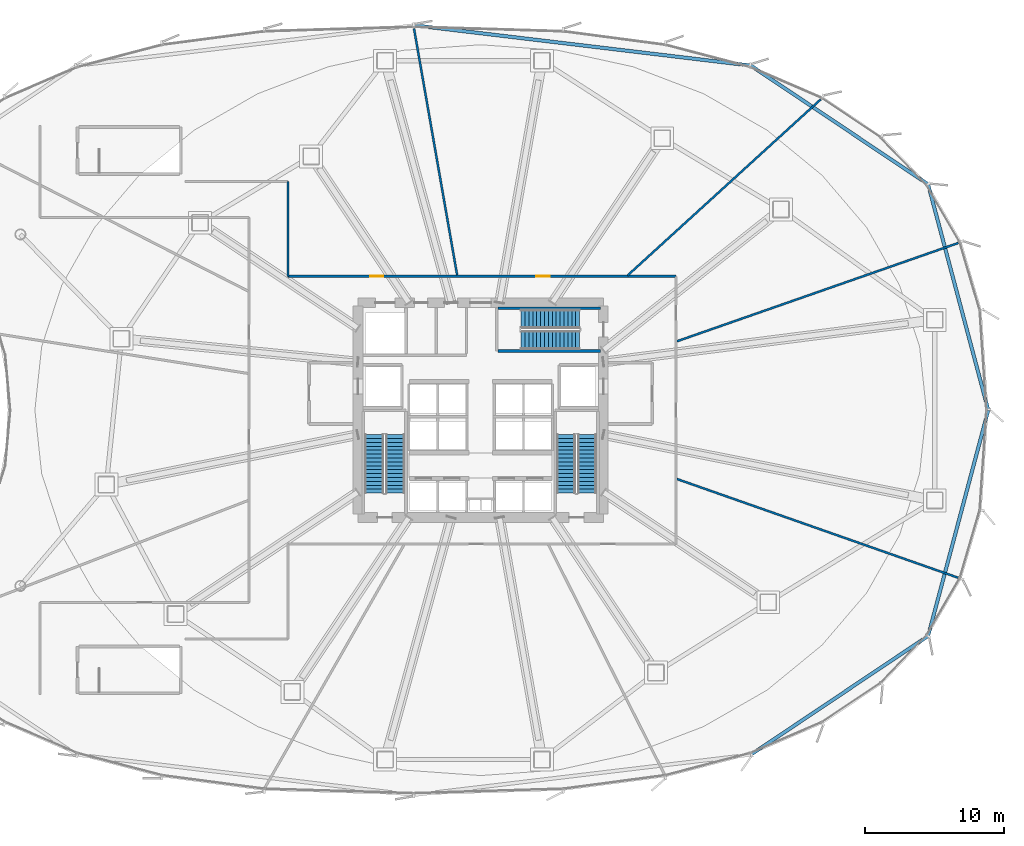
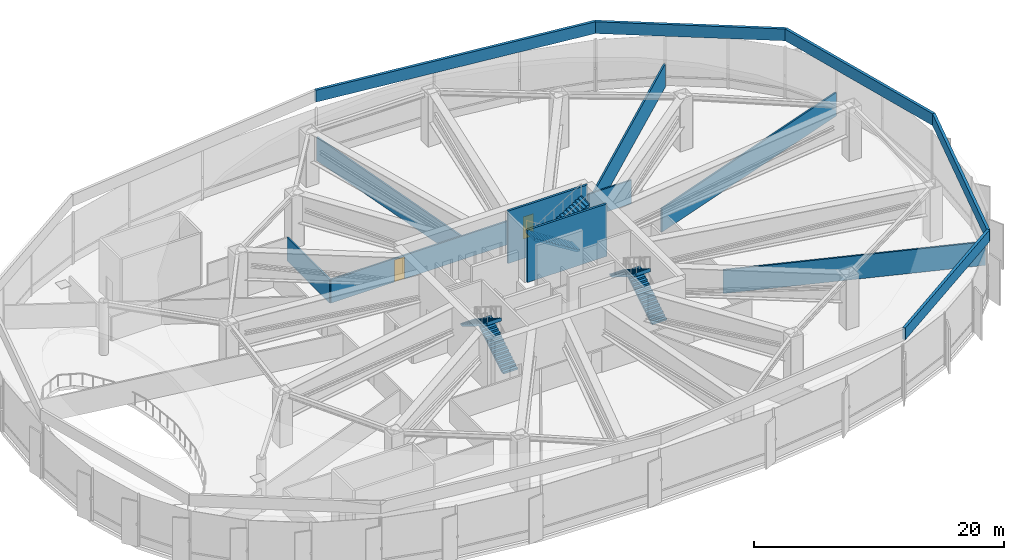
# One storey, part 29 of 36: 13 walls, 6 stair flights, 2 doors, 2 openings, 3 elements without a shape of their own.
"""IFC4 building model written with IfcOpenShell, lengths in metres."""

import ifcopenshell
import ifcopenshell.guid

model = None  # the IFC model being written
_history = None  # IfcOwnerHistory: only IFC2X3 demands one
_inside = {}  # id of a spatial element -> (the spatial element, [elements in it])
_under = {}  # id of a project, library or spatial element -> (it, [spatial elements below it])
_declared = {}  # id of a project -> (the project, [libraries it declares])
_typed = {}  # id of a type object -> (the type object, [elements of that type])
_made_of = {}  # id of a material, layer set ... -> (it, [elements and type objects made of it])


def new_model(schema):
    """Start an empty IFC model of exactly this schema.

    Asked for "IFC4X3", IfcOpenShell would pick the latest addendum, in which some entities
    have other attributes; the version numbers below select the first issue.
    IFC2X3 requires an IfcOwnerHistory on every rooted entity: one is made here for all.
    """
    global model, _history
    if schema == "IFC4X3":
        model = ifcopenshell.file(schema_version=(4, 3, 0, 0))
    else:
        model = ifcopenshell.file(schema=schema)
    _inside.clear()
    _under.clear()
    _declared.clear()
    _typed.clear()
    _made_of.clear()
    _history = None
    if model.schema == "IFC2X3":
        org = make("IfcOrganization", Name="unknown")
        user = make(
            "IfcPersonAndOrganization",
            ThePerson=make("IfcPerson", FamilyName="unknown"),
            TheOrganization=org,
        )
        app = make(
            "IfcApplication",
            ApplicationDeveloper=org,
            Version="unknown",
            ApplicationFullName="unknown",
            ApplicationIdentifier="unknown",
        )
        _history = make(
            "IfcOwnerHistory",
            OwningUser=user,
            OwningApplication=app,
            ChangeAction="ADDED",
            CreationDate=0,
        )
    return model


def make(cls, **values):
    """One entity of the class cls with the attributes given. An attribute that is None is left unset."""
    return model.create_entity(
        cls, **{name: value for name, value in values.items() if value is not None}
    )


def rooted(cls, **values):
    """An entity with a GlobalId (a new one), such as an element, a storey or a relation."""
    return make(cls, GlobalId=ifcopenshell.guid.new(), OwnerHistory=_history, **values)


def si_unit(unit_type, name, prefix=None):
    """IfcSIUnit, for example si_unit("LENGTHUNIT", "METRE", prefix="MILLI")."""
    return make("IfcSIUnit", UnitType=unit_type, Prefix=prefix, Name=name)


def assignment(units):
    """IfcUnitAssignment: the units of a project."""
    return None if units is None else make("IfcUnitAssignment", Units=units)


def point(xyz):
    """IfcCartesianPoint."""
    return None if xyz is None else make("IfcCartesianPoint", Coordinates=xyz)


def direction(xyz):
    """IfcDirection."""
    return None if xyz is None else make("IfcDirection", DirectionRatios=xyz)


def frame(location, z_axis=None, x_axis=None):
    """IfcAxis2Placement3D, a coordinate frame: its origin and axes. An axis left out is left unset."""
    return make(
        "IfcAxis2Placement3D",
        Location=point(location),
        Axis=direction(z_axis),
        RefDirection=direction(x_axis),
    )


def frame_2d(location, x_axis=None):
    """IfcAxis2Placement2D, a coordinate frame in the plane: its origin and x axis."""
    return make(
        "IfcAxis2Placement2D", Location=point(location), RefDirection=direction(x_axis)
    )


def origin():
    """The frame at (0, 0, 0) with its axes left unset."""
    return frame((0.0, 0.0, 0.0))


def place(relative_to, where):
    """IfcLocalPlacement: puts the frame where relative to a parent placement (None: the world)."""
    return make(
        "IfcLocalPlacement", PlacementRelTo=relative_to, RelativePlacement=where
    )


def context(
    kind, dimensions, precision=None, world=None, true_north=None, identifier=None
):
    """IfcGeometricRepresentationContext, for example the 3D "Model" context."""
    return make(
        "IfcGeometricRepresentationContext",
        ContextIdentifier=identifier,
        ContextType=kind,
        CoordinateSpaceDimension=dimensions,
        Precision=precision,
        WorldCoordinateSystem=world,
        TrueNorth=true_north,
    )


def subcontext(parent, identifier, kind, view, scale=None):
    """IfcGeometricRepresentationSubContext, for example "Body" below "Model"."""
    return make(
        "IfcGeometricRepresentationSubContext",
        ContextIdentifier=identifier,
        ContextType=kind,
        ParentContext=parent,
        TargetScale=scale,
        TargetView=view,
    )


def project(units=None, contexts=None):
    """IfcProject with its units and contexts."""
    return rooted(
        "IfcProject",
        Name="project",
        RepresentationContexts=contexts,
        UnitsInContext=assignment(units),
    )


def spatial(cls, under=None, at=None, **own):
    """A site, building, storey or space (cls), placed at a placement, below another one or the project."""
    s = rooted(cls, ObjectPlacement=at, **own)
    if under is not None:
        _under.setdefault(under.id(), (under, []))[1].append(s)
    return s


def polyline(points):
    """IfcPolyline through the points."""
    return make("IfcPolyline", Points=[point(p) for p in points])


def profile(cls, at=None, kind="AREA", **sizes):
    """A parametric profile (cls). Its sizes go by their IFC names, for example OverallWidth=200.0."""
    return make(cls, ProfileType=kind, Position=at, **sizes)


def rectangle(**sizes):
    """IfcRectangleProfileDef."""
    return profile("IfcRectangleProfileDef", **sizes)


def outline(outer, holes=None, kind="AREA"):
    """IfcArbitraryClosedProfileDef: a profile drawn as a closed curve; with holes, ...WithVoids."""
    if holes is None:
        return make("IfcArbitraryClosedProfileDef", ProfileType=kind, OuterCurve=outer)
    return make(
        "IfcArbitraryProfileDefWithVoids",
        ProfileType=kind,
        OuterCurve=outer,
        InnerCurves=holes,
    )


def extrude(swept, where, along, depth):
    """IfcExtrudedAreaSolid: the profile swept, set in the frame where, extruded along a direction by depth."""
    return make(
        "IfcExtrudedAreaSolid",
        SweptArea=swept,
        Position=where,
        ExtrudedDirection=direction(along),
        Depth=depth,
    )


def shape(context_of_items, identifier, shape_type, items):
    """IfcShapeRepresentation: the items that make up one representation, for example the "Body"."""
    return make(
        "IfcShapeRepresentation",
        ContextOfItems=context_of_items,
        RepresentationIdentifier=identifier,
        RepresentationType=shape_type,
        Items=items,
    )


def source(mapping_origin, context_of_items, identifier, shape_type, items):
    """IfcRepresentationMap: a shape defined once, which mapped items show again and again."""
    return make(
        "IfcRepresentationMap",
        MappingOrigin=mapping_origin,
        MappedRepresentation=shape(context_of_items, identifier, shape_type, items),
    )


def transform(
    local_origin,
    x_axis=None,
    y_axis=None,
    z_axis=None,
    scale=None,
    scale2=None,
    scale3=None,
    uniform=True,
):
    """IfcCartesianTransformationOperator3D, or its non-uniform kind. x_axis, y_axis, z_axis: its Axis1, 2, 3."""
    if uniform:
        return make(
            "IfcCartesianTransformationOperator3D",
            Axis1=direction(x_axis),
            Axis2=direction(y_axis),
            LocalOrigin=point(local_origin),
            Scale=scale,
            Axis3=direction(z_axis),
        )
    return make(
        "IfcCartesianTransformationOperator3DnonUniform",
        Axis1=direction(x_axis),
        Axis2=direction(y_axis),
        LocalOrigin=point(local_origin),
        Scale=scale,
        Axis3=direction(z_axis),
        Scale2=scale2,
        Scale3=scale3,
    )


def mapped(mapping_source, mapping_target):
    """IfcMappedItem: shows the shape of a source again, moved by a transform."""
    return make(
        "IfcMappedItem", MappingSource=mapping_source, MappingTarget=mapping_target
    )


def material(Name=None, Category=None):
    """IfcMaterial."""
    return make("IfcMaterial", Name=Name, Category=Category)


def layer(
    of_material, thickness, ventilated=None, Name=None, Category=None, Priority=None
):
    """IfcMaterialLayer: one layer of a wall or slab, of a material (None: an air gap)."""
    return make(
        "IfcMaterialLayer",
        Material=of_material,
        LayerThickness=thickness,
        IsVentilated=ventilated,
        Name=Name,
        Category=Category,
        Priority=Priority,
    )


def layer_set(layers, Name=None):
    """IfcMaterialLayerSet."""
    return make("IfcMaterialLayerSet", MaterialLayers=layers, LayerSetName=Name)


def made_of(thing, what):
    """Note that an element or type object is made of a material, layer set ...; save() writes the relation."""
    if what is not None:
        _made_of.setdefault(what.id(), (what, []))[1].append(thing)
    return thing


def type_object(cls, material=None, **own):
    """A type object (cls), such as IfcWallType, which elements share."""
    return made_of(rooted(cls, **own), material)


def element(
    cls,
    number,
    at=None,
    inside=None,
    cuts=None,
    type_object=None,
    material=None,
    context=None,
    identifier="Body",
    shape_type=None,
    held_by="IfcProductDefinitionShape",
    body=None,
    shapes=None,
    **own,
):
    """One element of the class cls, such as IfcWall. Its Tag is "e" and its number.

    at: its placement. inside: the storey or other place that contains it. cuts: it is an
    opening in that element (IfcRelVoidsElement). A single representation is given by context,
    identifier, shape_type and body (its items); several are given by shapes. held_by: the class
    of the entity that holds the representations. save() writes the other relations.
    """
    e = rooted(cls, Tag="e%d" % number, ObjectPlacement=at, **own)
    if body is not None:
        shapes = [shape(context, identifier, shape_type, body)]
    if shapes is not None:
        e.Representation = make(held_by, Representations=shapes)
    if inside is not None:
        _inside.setdefault(inside.id(), (inside, []))[1].append(e)
    if cuts is not None:
        rooted(
            "IfcRelVoidsElement", RelatingBuildingElement=cuts, RelatedOpeningElement=e
        )
    if type_object is not None:
        _typed.setdefault(type_object.id(), (type_object, []))[1].append(e)
    return made_of(e, material)


def fill(opening, filler):
    """IfcRelFillsElement: the door or window that sits in an opening."""
    return rooted(
        "IfcRelFillsElement",
        RelatingOpeningElement=opening,
        RelatedBuildingElement=filler,
    )


def aggregate(whole, parts):
    """IfcRelAggregates: a whole, such as a stair, and the parts it consists of."""
    return rooted("IfcRelAggregates", RelatingObject=whole, RelatedObjects=parts)


def save(model, path):
    """Write the relations noted so far, then the file.

    IfcRelAggregates (storeys below a building ...), IfcRelContainedInSpatialStructure (elements
    in a storey), IfcRelDefinesByType, IfcRelAssociatesMaterial and IfcRelDeclares: one each for
    every whole, place, type object, material and project.
    """
    for whole, parts in _under.values():
        aggregate(whole, parts)
    for where, things in _inside.values():
        rooted(
            "IfcRelContainedInSpatialStructure",
            RelatedElements=things,
            RelatingStructure=where,
        )
    for kind, things in _typed.values():
        rooted("IfcRelDefinesByType", RelatedObjects=things, RelatingType=kind)
    for what, things in _made_of.values():
        rooted("IfcRelAssociatesMaterial", RelatedObjects=things, RelatingMaterial=what)
    for by, libraries in _declared.values():
        rooted("IfcRelDeclares", RelatingContext=by, RelatedDefinitions=libraries)
    model.write(path)


model = new_model("IFC4")

# Units and contexts
model_context = context("Model", 3, precision=1e-05, world=origin(), true_north=direction((0.0, 1.0)))
body_context = subcontext(model_context, "Body", "Model", "MODEL_VIEW")
ifc_project = project(units=[si_unit("LENGTHUNIT", "METRE"), si_unit("AREAUNIT", "SQUARE_METRE"), si_unit("VOLUMEUNIT", "CUBIC_METRE"), si_unit("PLANEANGLEUNIT", "RADIAN"), si_unit("MASSUNIT", "GRAM", prefix="KILO"), si_unit("THERMODYNAMICTEMPERATUREUNIT", "KELVIN")], contexts=[model_context])

# Site, building, storey
site_placement = place(None, origin())
site = spatial("IfcSite", under=ifc_project, at=site_placement, CompositionType="ELEMENT")
building_placement = place(site_placement, origin())
building = spatial("IfcBuilding", under=site, at=building_placement, Name="Kethvar Cultural Tower", CompositionType="ELEMENT")
storey_placement = place(building_placement, frame((0.0, 0.0, 24.0)))
storey = spatial("IfcBuildingStorey", under=building, at=storey_placement, Name="L05", CompositionType="ELEMENT", Elevation=24.0)

# Wall, openings, doors
ifc_material_1 = material(Name="Gypsum Fireboard Partition")
ifc_layer_1 = layer(ifc_material_1, 0.14990234375, Name="Gypsum Fireboard Partition")
ifc_layer_set_1 = layer_set([ifc_layer_1], Name="Gypsum Fireboard Partition (150 mm)")
wall_type_1 = type_object("IfcWallType", Name="WL-FIRE-150", PredefinedType="PARTITIONING", material=ifc_layer_set_1)
wall_1_placement = place(storey_placement, frame((60.800048828125, 37.39990234375, 0.0), z_axis=(0.0, 0.0, 1.0), x_axis=(-1.0, 0.0, 0.0)))
wall_1 = element("IfcWall", 1, at=wall_1_placement, inside=storey, type_object=wall_type_1, Name="L05 Corridor Rated Wall N", PredefinedType="PARTITIONING", context=body_context, shape_type="SweptSolid", body=[
    extrude(rectangle(XDim=27.800048828125, YDim=0.14990234375, at=frame_2d((13.89990234375, 0.0))), origin(), (0.0, 0.0, 1.0), 2.294921875),
])
opening_1_placement = place(wall_1_placement, frame((9.05859375, 0.0, 0.0)))
opening_1 = element("IfcOpeningElement", 2, at=opening_1_placement, cuts=wall_1, Name="Opening D-L05-02", PredefinedType="OPENING", context=body_context, shape_type="SweptSolid", body=[
    extrude(rectangle(XDim=0.949951171875, YDim=2.14990234375, at=frame_2d((0.47509765625, 1.074951171875))), frame((0.0, 0.0849609375, 0.0), z_axis=(0.0, -1.0, 0.0), x_axis=(1.0, 0.0, 0.0)), (0.0, 0.0, 1.0), 0.169921875),
])
opening_2_placement = place(wall_1_placement, frame((20.969970703125, 0.0, 0.0)))
opening_2 = element("IfcOpeningElement", 3, at=opening_2_placement, cuts=wall_1, Name="Opening D-L05-03", PredefinedType="OPENING", context=body_context, shape_type="SweptSolid", body=[
    extrude(rectangle(XDim=0.949951171875, YDim=2.14990234375, at=frame_2d((0.47509765625, 1.074951171875))), frame((0.0, 0.0849609375, 0.0), z_axis=(0.0, -1.0, 0.0), x_axis=(1.0, 0.0, 0.0)), (0.0, 0.0, 1.0), 0.169921875),
])
ifc_material_2 = material(Name="Architectural Oak Timber", Category="wood")
door_type = type_object("IfcDoorType", Name="DR-FD30-950", OperationType="NOTDEFINED", PredefinedType="DOOR", material=ifc_material_2)
shared_shape = source(origin(), body_context, "Body", "SweptSolid", [
    extrude(rectangle(XDim=0.949951171875, YDim=2.14990234375, at=frame_2d((0.47509765625, 1.074951171875))), frame((0.0, 0.02490234375, 0.0), z_axis=(0.0, -1.0, 0.0), x_axis=(1.0, 0.0, 0.0)), (0.0, 0.0, 1.0), 0.050048828125),
])
door_1_placement = place(opening_1_placement, origin())
door_1 = element("IfcDoor", 4, at=door_1_placement, inside=storey, type_object=door_type, Name="L05 Auditorium Smoke Extract Plant Room 02 Door", OperationType="SINGLE_SWING_LEFT", OverallHeight=2.14990234375, OverallWidth=0.949951171875, PredefinedType="DOOR", context=body_context, shape_type="MappedRepresentation", body=[
    mapped(shared_shape, transform((0.0, 0.0, 0.0), scale=1.0)),
])
fill(opening_1, door_1)
door_2_placement = place(opening_2_placement, origin())
door_2 = element("IfcDoor", 5, at=door_2_placement, inside=storey, type_object=door_type, Name="L05 Podium Chilled Water Plant Room 03 Door", OperationType="SINGLE_SWING_RIGHT", OverallHeight=2.14990234375, OverallWidth=0.949951171875, PredefinedType="DOOR", context=body_context, shape_type="MappedRepresentation", body=[
    mapped(shared_shape, transform((0.0, 0.0, 0.0), scale=1.0)),
])
fill(opening_2, door_2)

# Walls
wall_2_placement = place(storey_placement, frame((33.0, 37.39990234375, 0.0), z_axis=(0.0, 0.0, 1.0), x_axis=(0.0, 1.0, 0.0)))
element("IfcWall", 6, at=wall_2_placement, inside=storey, type_object=wall_type_1, Name="L05 Corridor Rated Wall WN3", PredefinedType="PARTITIONING", context=body_context, shape_type="SweptSolid", body=[
    extrude(rectangle(XDim=6.800048828125, YDim=0.14990234375, at=frame_2d((3.39990234375, 0.0))), origin(), (0.0, 0.0, 1.0), 2.294921875),
])
wall_3_placement = place(storey_placement, frame((60.87548828125, 32.73681640625, 0.0), z_axis=(0.0, 0.0, 1.0), x_axis=(0.944020497478, 0.329886799283, 0.0)))
element("IfcWall", 7, at=wall_3_placement, inside=storey, type_object=wall_type_1, Name="L05 Radial Partition Wall 01", PredefinedType="PARTITIONING", context=body_context, shape_type="SweptSolid", body=[
    extrude(rectangle(XDim=21.370361328125, YDim=0.14990234375, at=frame_2d((10.68505859375, 0.0))), origin(), (0.0, 0.0, 1.0), 2.294921875),
])
wall_4_placement = place(storey_placement, frame((57.3310546875, 37.453857421875, 0.0), z_axis=(0.0, 0.0, 1.0), x_axis=(0.739024870785, 0.673678143004, 0.0)))
element("IfcWall", 8, at=wall_4_placement, inside=storey, type_object=wall_type_1, Name="L05 Radial Partition Wall 02", PredefinedType="PARTITIONING", context=body_context, shape_type="SweptSolid", body=[
    extrude(rectangle(XDim=18.74755859375, YDim=0.14990234375, at=frame_2d((9.373779296875, 0.0))), origin(), (0.0, 0.0, 1.0), 2.294921875),
])
wall_5_placement = place(storey_placement, frame((45.11669921875, 37.478759765625, 0.0), z_axis=(0.0, 0.0, 1.0), x_axis=(-0.172339731734, 0.985037571297, 0.0)))
element("IfcWall", 9, at=wall_5_placement, inside=storey, type_object=wall_type_1, Name="L05 Radial Partition Wall 03", PredefinedType="PARTITIONING", context=body_context, shape_type="SweptSolid", body=[
    extrude(rectangle(XDim=17.941650390625, YDim=0.14990234375, at=frame_2d((8.970703125, 0.0))), origin(), (0.0, 0.0, 1.0), 2.294921875),
])
wall_6_placement = place(storey_placement, frame((60.87548828125, 22.86328125, 0.0), z_axis=(0.0, 0.0, 1.0), x_axis=(0.943536215097, -0.331269393094, 0.0)))
element("IfcWall", 10, at=wall_6_placement, inside=storey, type_object=wall_type_1, Name="L05 Radial Partition Wall 09", PredefinedType="PARTITIONING", context=body_context, shape_type="SweptSolid", body=[
    extrude(rectangle(XDim=21.3681640625, YDim=0.14990234375, at=frame_2d((10.68408203125, 0.0))), origin(), (0.0, 0.0, 1.0), 2.294921875),
])
ifc_material_3 = material(Name="Precast concrete C40/50", Category="concrete")
ifc_layer_2 = layer(ifc_material_3, 0.25, Name="Precast concrete C40/50", Category="concrete")
ifc_layer_set_2 = layer_set([ifc_layer_2], Name="Precast concrete C40/50 (250 mm)")
wall_type_2 = type_object("IfcWallType", Name="WL-PARAPET-250", PredefinedType="PARAPET", material=ifc_layer_set_2)
wall_7_placement = place(storey_placement, frame((83.199951171875, 27.800048828125, 5.60009765625), z_axis=(0.0, 0.0, 1.0), x_axis=(-0.257499439796, 0.966278447708, 0.0)))
element("IfcWall", 11, at=wall_7_placement, inside=storey, type_object=wall_type_2, Name="Podium Roof Parapet Wall WP-01", PredefinedType="PARAPET", context=body_context, shape_type="SweptSolid", body=[
    extrude(rectangle(XDim=16.759033203125, YDim=0.25, at=frame_2d((8.37939453125, 0.0))), origin(), (0.0, 0.0, 1.0), 1.14990234375),
])
wall_8_placement = place(storey_placement, frame((78.884521484375, 43.993896484375, 5.60009765625), z_axis=(0.0, 0.0, 1.0), x_axis=(-0.83081092872, 0.556554759856, 0.0)))
element("IfcWall", 12, at=wall_8_placement, inside=storey, type_object=wall_type_2, Name="Podium Roof Parapet Wall WP-02", PredefinedType="PARAPET", context=body_context, shape_type="SweptSolid", body=[
    extrude(rectangle(XDim=15.2998046875, YDim=0.25, at=frame_2d((7.64990234375, 0.0))), origin(), (0.0, 0.0, 1.0), 1.14990234375),
])
wall_9_placement = place(storey_placement, frame((66.17333984375, 52.509033203125, 5.60009765625), z_axis=(0.0, 0.0, 1.0), x_axis=(-0.99292501543, 0.118743057625, 0.0)))
element("IfcWall", 13, at=wall_9_placement, inside=storey, type_object=wall_type_2, Name="Podium Roof Parapet Wall WP-03", PredefinedType="PARAPET", context=body_context, shape_type="SweptSolid", body=[
    extrude(rectangle(XDim=24.345703125, YDim=0.25, at=frame_2d((12.1728515625, 0.0))), origin(), (0.0, 0.0, 1.0), 1.14990234375),
])
wall_10_placement = place(storey_placement, frame((66.17333984375, 3.091064453125, 5.60009765625), z_axis=(0.0, 0.0, 1.0), x_axis=(0.83081092872, 0.556554759856, 0.0)))
element("IfcWall", 14, at=wall_10_placement, inside=storey, type_object=wall_type_2, Name="Podium Roof Parapet Wall WP-11", PredefinedType="PARAPET", context=body_context, shape_type="SweptSolid", body=[
    extrude(rectangle(XDim=15.2998046875, YDim=0.25, at=frame_2d((7.64990234375, 0.0))), origin(), (0.0, 0.0, 1.0), 1.14990234375),
])
wall_11_placement = place(storey_placement, frame((78.884521484375, 11.606201171875, 5.60009765625), z_axis=(0.0, 0.0, 1.0), x_axis=(0.257499439796, 0.966278447708, 0.0)))
element("IfcWall", 15, at=wall_11_placement, inside=storey, type_object=wall_type_2, Name="Podium Roof Parapet Wall WP-12", PredefinedType="PARAPET", context=body_context, shape_type="SweptSolid", body=[
    extrude(rectangle(XDim=16.759033203125, YDim=0.25, at=frame_2d((8.37939453125, 0.0))), origin(), (0.0, 0.0, 1.0), 1.14990234375),
])
ifc_material_4 = material(Name="Concrete C50/60", Category="concrete")
ifc_layer_3 = layer(ifc_material_4, 0.199951171875, Name="Concrete C50/60", Category="concrete")
ifc_layer_set_3 = layer_set([ifc_layer_3], Name="Concrete C50/60 (200 mm)")
wall_type_3 = type_object("IfcWallType", Name="WL-STSHAFT-200", PredefinedType="SHEAR", material=ifc_layer_set_3)
for number, where, z_axis, x_axis, name in (
    (16, (48.050048828125, 35.110107421875, 0.0), (0.0, 0.0, 1.0), (1.0, 0.0, 0.0), "L05 ST-03 Stair Shaft Wall LEFT"),
    (17, (55.39990234375, 32.050048828125, 0.0), (0.0, 0.0, 1.0), (-1.0, 0.0, 0.0), "L05 ST-03 Stair Shaft Wall RIGHT"),
):
    element("IfcWall", number, at=place(storey_placement, frame(where, z_axis=z_axis, x_axis=x_axis)), inside=storey, type_object=wall_type_3, Name=name, PredefinedType="SHEAR", context=body_context, shape_type="SweptSolid", body=[
        extrude(rectangle(XDim=7.349853515625, YDim=0.199951171875, at=frame_2d((3.6748046875, 0.0))), origin(), (0.0, 0.0, 1.0), 5.1201171875),
    ])

# Stair, stair flights
ifc_material_5 = material(Name="Concrete C40/50", Category="concrete")
stair_type = type_object("IfcStairType", Name="ST-DOGLEG-135", PredefinedType="HALF_TURN_STAIR", material=ifc_material_5)
stair_1_placement = place(storey_placement, origin())
stair_1 = element("IfcStair", 18, at=stair_1_placement, inside=storey, type_object=stair_type, Name="L05 Core Exit Stair 1", PredefinedType="HALF_TURN_STAIR")
stair_flight_type = type_object("IfcStairFlightType", Name="FL-STRAIGHT-135", PredefinedType="STRAIGHT", material=ifc_material_5)
stair_flight_1_placement = place(storey_placement, frame((40.675048828125, 21.85009765625, 0.0), z_axis=(0.0, 0.0, 1.0), x_axis=(0.0, 1.0, 0.0)))
stair_flight_1 = element("IfcStairFlight", 19, at=stair_flight_1_placement, type_object=stair_flight_type, Name="ST-01 flight 1", NumberOfRisers=16, NumberOfTreads=15, PredefinedType="STRAIGHT", RiserHeight=0.175, TreadLength=0.28, context=body_context, shape_type="SweptSolid", body=[
    extrude(outline(polyline([(-0.0009765625, -0.0009765625), (-0.0009765625, 0.175048828125), (0.280029296875, 0.175048828125), (0.280029296875, 0.35009765625), (0.56005859375, 0.35009765625), (0.56005859375, 0.52490234375), (0.840087890625, 0.52490234375), (0.840087890625, 0.699951171875), (1.1201171875, 0.699951171875), (1.1201171875, 0.875), (1.39990234375, 0.875), (1.39990234375, 1.050048828125), (1.679931640625, 1.050048828125), (1.679931640625, 1.22509765625), (1.9599609375, 1.22509765625), (1.9599609375, 1.39990234375), (2.239990234375, 1.39990234375), (2.239990234375, 1.574951171875), (2.52001953125, 1.574951171875), (2.52001953125, 1.75), (2.800048828125, 1.75), (2.800048828125, 1.925048828125), (3.080078125, 1.925048828125), (3.080078125, 2.10009765625), (3.360107421875, 2.10009765625), (3.360107421875, 2.27490234375), (3.639892578125, 2.27490234375), (3.639892578125, 2.449951171875), (3.919921875, 2.449951171875), (3.919921875, 2.625), (4.199951171875, 2.625), (4.199951171875, 2.800048828125), (4.200927734375, 2.800048828125), (4.200927734375, 2.4482421875), (0.28271484375, 0.0), (0.0, -0.0009765625), (-0.0009765625, -0.0009765625)])), frame((0.0, 0.675048828125, 0.0), z_axis=(0.0, -1.0, 0.0), x_axis=(1.0, 0.0, 0.0)), (0.0, 0.0, 1.0), 1.35009765625),
])
stair_flight_2_placement = place(storey_placement, frame((39.1650390625, 26.050048828125, 2.800048828125), z_axis=(0.0, 0.0, 1.0), x_axis=(0.0, -1.0, 0.0)))
stair_flight_2 = element("IfcStairFlight", 20, at=stair_flight_2_placement, type_object=stair_flight_type, Name="ST-01 flight 2", NumberOfRisers=16, NumberOfTreads=15, PredefinedType="STRAIGHT", RiserHeight=0.175, TreadLength=0.28, context=body_context, shape_type="SweptSolid", body=[
    extrude(outline(polyline([(-0.0009765625, -0.0009765625), (-0.0009765625, 0.175048828125), (0.280029296875, 0.175048828125), (0.280029296875, 0.35009765625), (0.56005859375, 0.35009765625), (0.56005859375, 0.52490234375), (0.840087890625, 0.52490234375), (0.840087890625, 0.699951171875), (1.1201171875, 0.699951171875), (1.1201171875, 0.875), (1.39990234375, 0.875), (1.39990234375, 1.050048828125), (1.679931640625, 1.050048828125), (1.679931640625, 1.22509765625), (1.9599609375, 1.22509765625), (1.9599609375, 1.39990234375), (2.239990234375, 1.39990234375), (2.239990234375, 1.574951171875), (2.52001953125, 1.574951171875), (2.52001953125, 1.75), (2.800048828125, 1.75), (2.800048828125, 1.925048828125), (3.080078125, 1.925048828125), (3.080078125, 2.10009765625), (3.360107421875, 2.10009765625), (3.360107421875, 2.27490234375), (3.639892578125, 2.27490234375), (3.639892578125, 2.449951171875), (3.919921875, 2.449951171875), (3.919921875, 2.625), (4.199951171875, 2.625), (4.199951171875, 2.800048828125), (4.200927734375, 2.800048828125), (4.200927734375, 2.4482421875), (0.28271484375, 0.0), (0.0, -0.0009765625), (-0.0009765625, -0.0009765625)])), frame((0.0, 0.675048828125, 0.0), z_axis=(0.0, -1.0, 0.0), x_axis=(1.0, 0.0, 0.0)), (0.0, 0.0, 1.0), 1.35009765625),
])
aggregate(stair_1, [stair_flight_1, stair_flight_2])

stair_2_placement = place(storey_placement, origin())
stair_2 = element("IfcStair", 21, at=stair_2_placement, inside=storey, type_object=stair_type, Name="L05 Core Exit Stair 2", PredefinedType="HALF_TURN_STAIR")
stair_flight_3_placement = place(storey_placement, frame((54.43505859375, 21.85009765625, 0.0), z_axis=(0.0, 0.0, 1.0), x_axis=(0.0, 1.0, 0.0)))
stair_flight_3 = element("IfcStairFlight", 22, at=stair_flight_3_placement, type_object=stair_flight_type, Name="ST-02 flight 1", NumberOfRisers=16, NumberOfTreads=15, PredefinedType="STRAIGHT", RiserHeight=0.175, TreadLength=0.28, context=body_context, shape_type="SweptSolid", body=[
    extrude(outline(polyline([(-0.0009765625, -0.0009765625), (-0.0009765625, 0.175048828125), (0.280029296875, 0.175048828125), (0.280029296875, 0.35009765625), (0.56005859375, 0.35009765625), (0.56005859375, 0.52490234375), (0.840087890625, 0.52490234375), (0.840087890625, 0.699951171875), (1.1201171875, 0.699951171875), (1.1201171875, 0.875), (1.39990234375, 0.875), (1.39990234375, 1.050048828125), (1.679931640625, 1.050048828125), (1.679931640625, 1.22509765625), (1.9599609375, 1.22509765625), (1.9599609375, 1.39990234375), (2.239990234375, 1.39990234375), (2.239990234375, 1.574951171875), (2.52001953125, 1.574951171875), (2.52001953125, 1.75), (2.800048828125, 1.75), (2.800048828125, 1.925048828125), (3.080078125, 1.925048828125), (3.080078125, 2.10009765625), (3.360107421875, 2.10009765625), (3.360107421875, 2.27490234375), (3.639892578125, 2.27490234375), (3.639892578125, 2.449951171875), (3.919921875, 2.449951171875), (3.919921875, 2.625), (4.199951171875, 2.625), (4.199951171875, 2.800048828125), (4.200927734375, 2.800048828125), (4.200927734375, 2.4482421875), (0.28271484375, 0.0), (0.0, -0.0009765625), (-0.0009765625, -0.0009765625)])), frame((0.0, 0.675048828125, 0.0), z_axis=(0.0, -1.0, 0.0), x_axis=(1.0, 0.0, 0.0)), (0.0, 0.0, 1.0), 1.35009765625),
])
stair_flight_4_placement = place(storey_placement, frame((52.925048828125, 26.050048828125, 2.800048828125), z_axis=(0.0, 0.0, 1.0), x_axis=(0.0, -1.0, 0.0)))
stair_flight_4 = element("IfcStairFlight", 23, at=stair_flight_4_placement, type_object=stair_flight_type, Name="ST-02 flight 2", NumberOfRisers=16, NumberOfTreads=15, PredefinedType="STRAIGHT", RiserHeight=0.175, TreadLength=0.28, context=body_context, shape_type="SweptSolid", body=[
    extrude(outline(polyline([(-0.0009765625, -0.0009765625), (-0.0009765625, 0.175048828125), (0.280029296875, 0.175048828125), (0.280029296875, 0.35009765625), (0.56005859375, 0.35009765625), (0.56005859375, 0.52490234375), (0.840087890625, 0.52490234375), (0.840087890625, 0.699951171875), (1.1201171875, 0.699951171875), (1.1201171875, 0.875), (1.39990234375, 0.875), (1.39990234375, 1.050048828125), (1.679931640625, 1.050048828125), (1.679931640625, 1.22509765625), (1.9599609375, 1.22509765625), (1.9599609375, 1.39990234375), (2.239990234375, 1.39990234375), (2.239990234375, 1.574951171875), (2.52001953125, 1.574951171875), (2.52001953125, 1.75), (2.800048828125, 1.75), (2.800048828125, 1.925048828125), (3.080078125, 1.925048828125), (3.080078125, 2.10009765625), (3.360107421875, 2.10009765625), (3.360107421875, 2.27490234375), (3.639892578125, 2.27490234375), (3.639892578125, 2.449951171875), (3.919921875, 2.449951171875), (3.919921875, 2.625), (4.199951171875, 2.625), (4.199951171875, 2.800048828125), (4.200927734375, 2.800048828125), (4.200927734375, 2.4482421875), (0.28271484375, 0.0), (0.0, -0.0009765625), (-0.0009765625, -0.0009765625)])), frame((0.0, 0.675048828125, 0.0), z_axis=(0.0, -1.0, 0.0), x_axis=(1.0, 0.0, 0.0)), (0.0, 0.0, 1.0), 1.35009765625),
])
aggregate(stair_2, [stair_flight_3, stair_flight_4])

stair_3_placement = place(storey_placement, origin())
stair_3 = element("IfcStair", 24, at=stair_3_placement, inside=storey, type_object=stair_type, Name="L05 Core Exit Stair 3", PredefinedType="HALF_TURN_STAIR")
stair_flight_5_placement = place(storey_placement, frame((53.89990234375, 34.3349609375, 0.0), z_axis=(0.0, 0.0, 1.0), x_axis=(-1.0, 0.0, 0.0)))
stair_flight_5 = element("IfcStairFlight", 25, at=stair_flight_5_placement, type_object=stair_flight_type, Name="ST-03 flight 1", NumberOfRisers=16, NumberOfTreads=15, PredefinedType="STRAIGHT", RiserHeight=0.175, TreadLength=0.28, context=body_context, shape_type="SweptSolid", body=[
    extrude(outline(polyline([(-0.0009765625, -0.0009765625), (-0.0009765625, 0.175048828125), (0.280029296875, 0.175048828125), (0.280029296875, 0.35009765625), (0.56005859375, 0.35009765625), (0.56005859375, 0.52490234375), (0.840087890625, 0.52490234375), (0.840087890625, 0.699951171875), (1.1201171875, 0.699951171875), (1.1201171875, 0.875), (1.39990234375, 0.875), (1.39990234375, 1.050048828125), (1.679931640625, 1.050048828125), (1.679931640625, 1.22509765625), (1.9599609375, 1.22509765625), (1.9599609375, 1.39990234375), (2.239990234375, 1.39990234375), (2.239990234375, 1.574951171875), (2.52001953125, 1.574951171875), (2.52001953125, 1.75), (2.800048828125, 1.75), (2.800048828125, 1.925048828125), (3.080078125, 1.925048828125), (3.080078125, 2.10009765625), (3.360107421875, 2.10009765625), (3.360107421875, 2.27490234375), (3.639892578125, 2.27490234375), (3.639892578125, 2.449951171875), (3.919921875, 2.449951171875), (3.919921875, 2.625), (4.199951171875, 2.625), (4.199951171875, 2.800048828125), (4.200927734375, 2.800048828125), (4.200927734375, 2.4482421875), (0.28271484375, 0.0), (0.0, -0.0009765625), (-0.0009765625, -0.0009765625)])), frame((0.0, 0.675048828125, 0.0), z_axis=(0.0, -1.0, 0.0), x_axis=(1.0, 0.0, 0.0)), (0.0, 0.0, 1.0), 1.35009765625),
])
stair_flight_6_placement = place(storey_placement, frame((49.699951171875, 32.824951171875, 2.800048828125), z_axis=(0.0, 0.0, 1.0), x_axis=(1.0, 0.0, 0.0)))
stair_flight_6 = element("IfcStairFlight", 26, at=stair_flight_6_placement, type_object=stair_flight_type, Name="ST-03 flight 2", NumberOfRisers=16, NumberOfTreads=15, PredefinedType="STRAIGHT", RiserHeight=0.175, TreadLength=0.28, context=body_context, shape_type="SweptSolid", body=[
    extrude(outline(polyline([(-0.0009765625, -0.0009765625), (-0.0009765625, 0.175048828125), (0.280029296875, 0.175048828125), (0.280029296875, 0.35009765625), (0.56005859375, 0.35009765625), (0.56005859375, 0.52490234375), (0.840087890625, 0.52490234375), (0.840087890625, 0.699951171875), (1.1201171875, 0.699951171875), (1.1201171875, 0.875), (1.39990234375, 0.875), (1.39990234375, 1.050048828125), (1.679931640625, 1.050048828125), (1.679931640625, 1.22509765625), (1.9599609375, 1.22509765625), (1.9599609375, 1.39990234375), (2.239990234375, 1.39990234375), (2.239990234375, 1.574951171875), (2.52001953125, 1.574951171875), (2.52001953125, 1.75), (2.800048828125, 1.75), (2.800048828125, 1.925048828125), (3.080078125, 1.925048828125), (3.080078125, 2.10009765625), (3.360107421875, 2.10009765625), (3.360107421875, 2.27490234375), (3.639892578125, 2.27490234375), (3.639892578125, 2.449951171875), (3.919921875, 2.449951171875), (3.919921875, 2.625), (4.199951171875, 2.625), (4.199951171875, 2.800048828125), (4.200927734375, 2.800048828125), (4.200927734375, 2.4482421875), (0.28271484375, 0.0), (0.0, -0.0009765625), (-0.0009765625, -0.0009765625)])), frame((0.0, 0.675048828125, 0.0), z_axis=(0.0, -1.0, 0.0), x_axis=(1.0, 0.0, 0.0)), (0.0, 0.0, 1.0), 1.35009765625),
])
aggregate(stair_3, [stair_flight_5, stair_flight_6])

save(model, "model.ifc")
